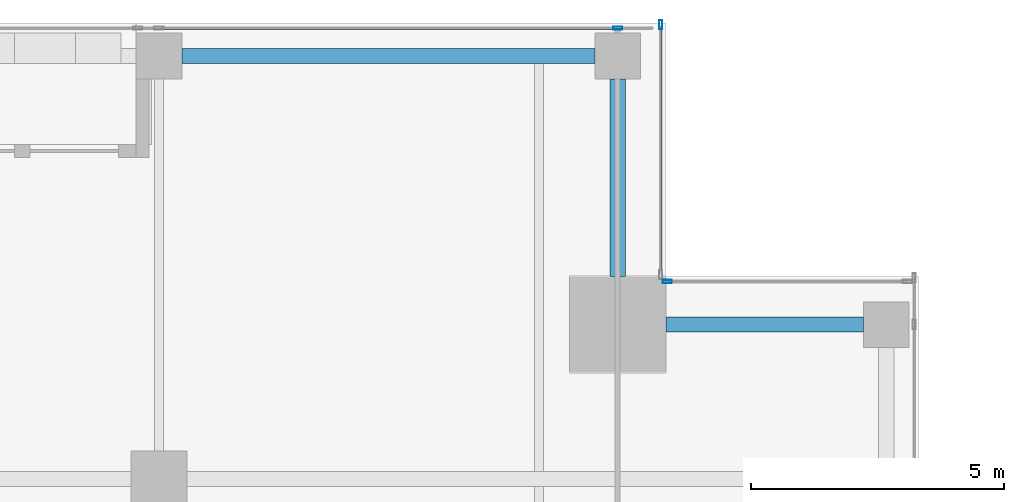
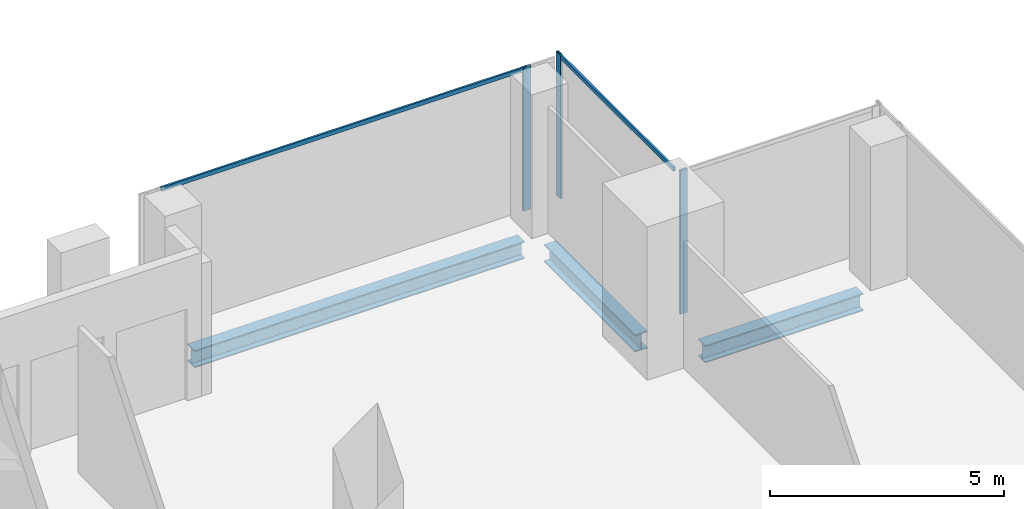
# One storey, part 23 of 36: 5 members, 3 beams, 3 elements without a shape of their own.
"""IFC4 building model written with IfcOpenShell, lengths in metres."""

from ifc_helpers import new_model, si_unit, direction, frame, origin, origin_2d, place, context, subcontext, project, spatial, hollow_rectangle, i_section, extrude, source, transform, mapped, material, material_profile, profile_set, type_object, element, aggregate, save


model = new_model("IFC4")

# Units and contexts
model_context = context("Model", 3, precision=1e-05, world=origin(), true_north=direction((0.0, 1.0)))
body_context = subcontext(model_context, "Body", "Model", "MODEL_VIEW")
ifc_project = project(units=[si_unit("LENGTHUNIT", "METRE"), si_unit("AREAUNIT", "SQUARE_METRE"), si_unit("VOLUMEUNIT", "CUBIC_METRE"), si_unit("PLANEANGLEUNIT", "RADIAN"), si_unit("MASSUNIT", "GRAM", prefix="KILO")], contexts=[model_context])

# Site, building, storey
site_placement = place(None, origin())
site = spatial("IfcSite", under=ifc_project, at=site_placement, CompositionType="ELEMENT")
building_placement = place(site_placement, origin())
building = spatial("IfcBuilding", under=site, at=building_placement, Name="Khomas Fold Tower", CompositionType="ELEMENT")
storey_placement = place(building_placement, frame((0.0, 0.0, 238.199951171875)))
storey = spatial("IfcBuildingStorey", under=building, at=storey_placement, Name="L53", CompositionType="ELEMENT", Elevation=238.199951171875)

# Beams
ifc_material_1 = material(Name="Steel S355", Category="steel")
ifc_material_profile_1 = material_profile(ifc_material_1, i_section(OverallWidth=0.300048828125, OverallDepth=0.449951171875, WebThickness=0.013916015625, FlangeThickness=0.02587890625, at=origin_2d()), Name="HE 450 B")
ifc_profile_set_1 = profile_set([ifc_material_profile_1], Name="Steel S355")
beam_type = type_object("IfcBeamType", Name="HE 450 B spandrel SB4", PredefinedType="SPANDREL", material=ifc_profile_set_1)
shared_shape_1 = source(origin(), body_context, "Body", "SweptSolid", [
    extrude(i_section(OverallWidth=0.300048828125, OverallDepth=0.449951171875, WebThickness=0.013916015625, FlangeThickness=0.02587890625, at=origin_2d()), origin(), (0.0, 0.0, 1.0), 8.150146484375),
])
beam_placement = place(storey_placement, frame((34.949951171875, 48.85009765625, -0.474853515625), z_axis=(1.0, 0.0, 0.0), x_axis=(0.0, 1.0, 0.0)))
element("IfcBeam", 1, at=beam_placement, inside=storey, type_object=beam_type, Name="SB4", PredefinedType="SPANDREL", context=body_context, shape_type="MappedRepresentation", body=[
    mapped(shared_shape_1, transform((0.0, 0.0, 0.0))),
])
shared_shape_2 = source(origin(), body_context, "Body", "SweptSolid", [
    extrude(i_section(OverallWidth=0.300048828125, OverallDepth=0.449951171875, WebThickness=0.013916015625, FlangeThickness=0.02587890625, at=origin_2d()), origin(), (0.0, 0.0, 1.0), 3.89990234375),
])
for number, where, z_axis, x_axis, name in (
    (2, (44.5, 43.550048828125, -0.474853515625), (1.0, 0.0, 0.0), (0.0, 1.0, 0.0), "SB4"),
    (3, (43.550048828125, 44.5, -0.474853515625), (0.0, 1.0, 0.0), (-1.0, 0.0, 0.0), "SB4"),
):
    element("IfcBeam", number, at=place(storey_placement, frame(where, z_axis=z_axis, x_axis=x_axis)), inside=storey, type_object=beam_type, Name=name, PredefinedType="SPANDREL", context=body_context, shape_type="MappedRepresentation", body=[
        mapped(shared_shape_2, transform((0.0, 0.0, 0.0))),
    ])

# Curtain wall, member
ifc_material_2 = material(Name="Aluminium framed double glazing", Category="aluminium")
curtain_wall_type = type_object("IfcCurtainWallType", Name="SK-Unitised clear-glass wall, office floors CW2", PredefinedType="NOTDEFINED", material=ifc_material_2)
curtain_wall_1_placement = place(storey_placement, origin())
curtain_wall_1 = element("IfcCurtainWall", 4, at=curtain_wall_1_placement, inside=storey, type_object=curtain_wall_type, Name="CW2 corner return L53 04", PredefinedType="NOTDEFINED")
ifc_material_3 = material(Name="Aluminium", Category="aluminium")
ifc_material_profile_2 = material_profile(ifc_material_3, hollow_rectangle(XDim=0.06005859375, YDim=0.179931640625, WallThickness=0.00390625, at=origin_2d()), Name="SK-Unitised clear-glass wall, office floors mullion CW2-M")
ifc_profile_set_2 = profile_set([ifc_material_profile_2], Name="Aluminium")
member_type_1 = type_object("IfcMemberType", Name="SK-Unitised clear-glass wall, office floors mullion CW2-M", PredefinedType="MULLION", material=ifc_profile_set_2)
shared_shape_3 = source(origin(), body_context, "Body", "SweptSolid", [
    extrude(hollow_rectangle(XDim=0.06005859375, YDim=0.179931640625, WallThickness=0.00390625, at=origin_2d()), origin(), (0.0, 0.0, 1.0), 3.75),
])
member_1_placement = place(storey_placement, frame((44.530029296875, 44.39990234375, 0.0), z_axis=(0.0, 0.0, 1.0), x_axis=(0.0, -1.0, 0.0)))
member_1 = element("IfcMember", 5, at=member_1_placement, type_object=member_type_1, Name="CW2 mullion 2", PredefinedType="MULLION", context=body_context, shape_type="MappedRepresentation", body=[
    mapped(shared_shape_3, transform((0.0, 0.0, 0.0))),
])
aggregate(curtain_wall_1, [member_1])

curtain_wall_2_placement = place(storey_placement, origin())
curtain_wall_2 = element("IfcCurtainWall", 6, at=curtain_wall_2_placement, inside=storey, type_object=curtain_wall_type, Name="CW2 corner return L53 05", PredefinedType="NOTDEFINED")
member_2_placement = place(storey_placement, frame((44.39990234375, 49.469970703125, 0.0), z_axis=(0.0, 0.0, 1.0), x_axis=(-1.0, 0.0, 0.0)))
member_2 = element("IfcMember", 7, at=member_2_placement, type_object=member_type_1, Name="CW2 mullion 2", PredefinedType="MULLION", context=body_context, shape_type="MappedRepresentation", body=[
    mapped(shared_shape_3, transform((0.0, 0.0, 0.0))),
])

# Curtain wall, members
curtain_wall_3_placement = place(storey_placement, origin())
curtain_wall_3 = element("IfcCurtainWall", 8, at=curtain_wall_3_placement, inside=storey, type_object=curtain_wall_type, Name="CW2 run L53 06-0", PredefinedType="NOTDEFINED")
member_3_placement = place(storey_placement, frame((43.550048828125, 49.39990234375, 0.0), z_axis=(0.0, 0.0, 1.0), x_axis=(0.0, -1.0, 0.0)))
member_3 = element("IfcMember", 9, at=member_3_placement, type_object=member_type_1, Name="CW2 mullion 2", PredefinedType="MULLION", context=body_context, shape_type="MappedRepresentation", body=[
    mapped(shared_shape_3, transform((0.0, 0.0, 0.0))),
])
ifc_material_4 = material(Name="Aluminium", Category="aluminium")
ifc_material_profile_3 = material_profile(ifc_material_4, hollow_rectangle(XDim=0.050048828125, YDim=0.110107421875, WallThickness=0.00390625, at=origin_2d()), Name="SK-Unitised clear-glass wall, office floors transom CW2-T")
ifc_profile_set_3 = profile_set([ifc_material_profile_3], Name="Aluminium")
member_type_2 = type_object("IfcMemberType", Name="SK-Unitised clear-glass wall, office floors transom CW2-T", PredefinedType="USERDEFINED", material=ifc_profile_set_3)
shared_shape_4 = source(origin(), body_context, "Body", "SweptSolid", [
    extrude(hollow_rectangle(XDim=0.050048828125, YDim=0.110107421875, WallThickness=0.00390625, at=origin_2d()), origin(), (0.0, 0.0, 1.0), 8.989990234375),
])
member_4_placement = place(storey_placement, frame((43.52001953125, 49.39990234375, 3.695068359375), z_axis=(-1.0, 0.0, 0.0), x_axis=(0.0, -1.0, 0.0)))
member_4 = element("IfcMember", 10, at=member_4_placement, type_object=member_type_2, Name="CW2 transom 2", ObjectType="TRANSOM", PredefinedType="USERDEFINED", context=body_context, shape_type="MappedRepresentation", body=[
    mapped(shared_shape_4, transform((0.0, 0.0, 0.0))),
])
aggregate(curtain_wall_3, [member_3, member_4])

# Member
shared_shape_5 = source(origin(), body_context, "Body", "SweptSolid", [
    extrude(hollow_rectangle(XDim=0.050048828125, YDim=0.110107421875, WallThickness=0.00390625, at=origin_2d()), origin(), (0.0, 0.0, 1.0), 4.8798828125),
])
member_5_placement = place(storey_placement, frame((44.39990234375, 44.56005859375, 3.695068359375), z_axis=(0.0, 1.0, 0.0), x_axis=(-1.0, 0.0, 0.0)))
member_5 = element("IfcMember", 11, at=member_5_placement, type_object=member_type_2, Name="CW2 transom 1", ObjectType="TRANSOM", PredefinedType="USERDEFINED", context=body_context, shape_type="MappedRepresentation", body=[
    mapped(shared_shape_5, transform((0.0, 0.0, 0.0))),
])

aggregate(curtain_wall_2, [member_2, member_5])

save(model, "model.ifc")
